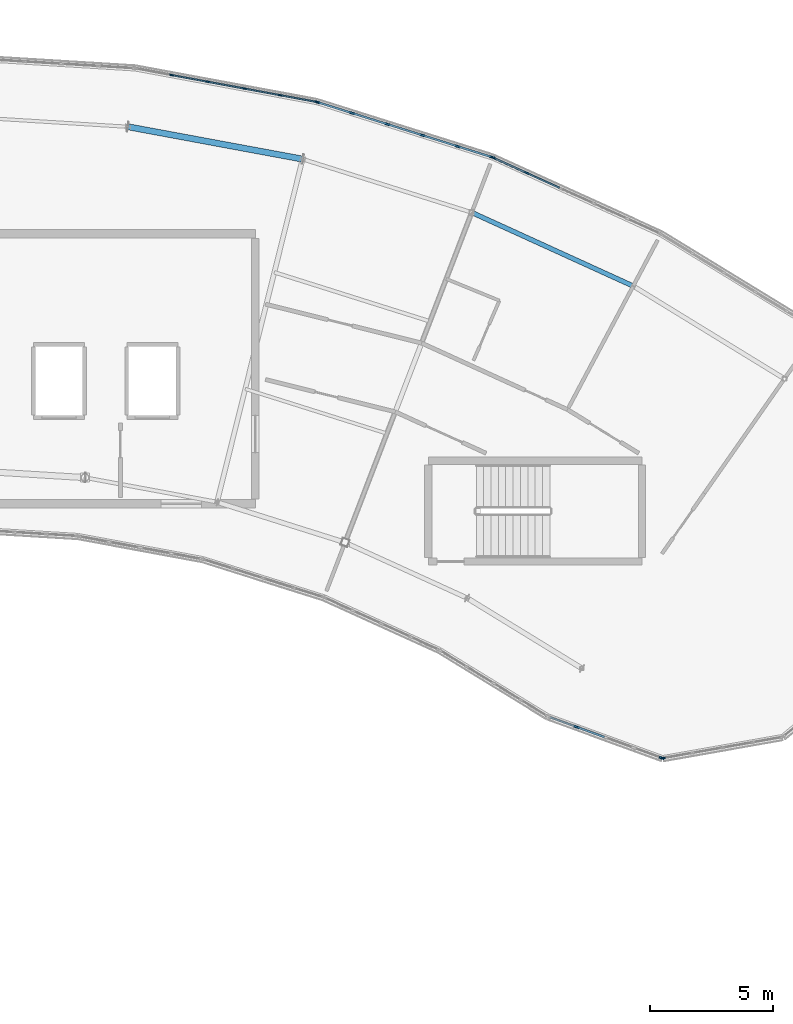
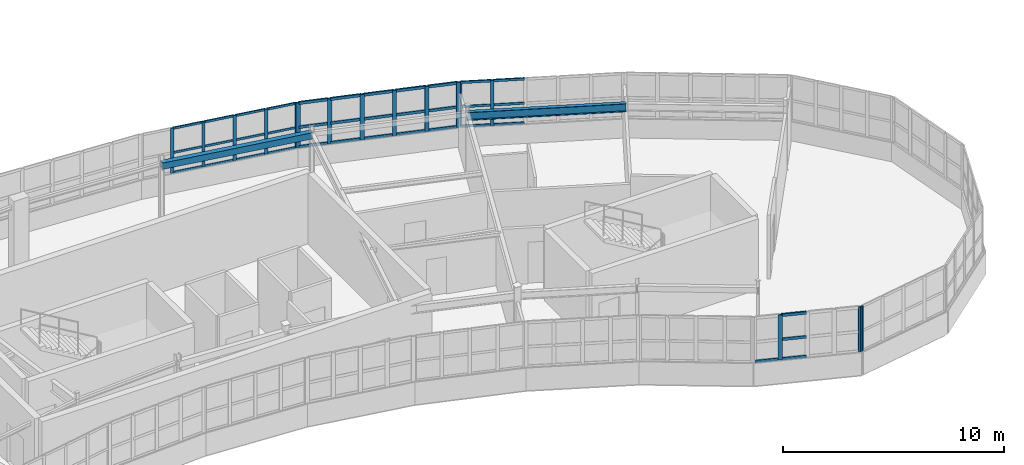
# One storey, part 41 of 79: 53 members, 2 beams, 5 elements without a shape of their own.
"""IFC4 building model written with IfcOpenShell, lengths in metres."""

from ifc_helpers import new_model, si_unit, direction, frame, origin, origin_2d, place, context, subcontext, project, spatial, rectangle, hollow_rectangle, i_section, extrude, material, layer, layer_set, material_profile, profile_set, type_object, element, aggregate, save


model = new_model("IFC4")

# Units and contexts
model_context = context("Model", 3, precision=1e-05, world=origin(), true_north=direction((0.0, 1.0)))
body_context = subcontext(model_context, "Body", "Model", "MODEL_VIEW")
ifc_project = project(units=[si_unit("LENGTHUNIT", "METRE"), si_unit("AREAUNIT", "SQUARE_METRE"), si_unit("VOLUMEUNIT", "CUBIC_METRE"), si_unit("PLANEANGLEUNIT", "RADIAN"), si_unit("MASSUNIT", "GRAM", prefix="KILO")], contexts=[model_context])

# Site, building, storey
site_placement = place(None, origin())
site = spatial("IfcSite", under=ifc_project, at=site_placement, CompositionType="ELEMENT")
building_placement = place(site_placement, origin())
building = spatial("IfcBuilding", under=site, at=building_placement, Name="Tarnwether General Hospital", CompositionType="ELEMENT")
storey_placement = place(building_placement, frame((0.0, 0.0, 18.300048828125)))
storey = spatial("IfcBuildingStorey", under=building, at=storey_placement, Name="L04", CompositionType="ELEMENT", Elevation=18.300048828125)

# Beams
ifc_material_1 = material(Name="Steel Grade 350 (350 MPa)", Category="steel")
ifc_material_profile_1 = material_profile(ifc_material_1, i_section(OverallWidth=0.18994140625, OverallDepth=0.4541015625, WebThickness=0.008544921875, FlangeThickness=0.0126953125, at=origin_2d()), Name="460UB67.1")
ifc_profile_set_1 = profile_set([ifc_material_profile_1], Name="Steel Grade 350 (350 MPa)")
beam_type_1 = type_object("IfcBeamType", Name="BM-SP1", PredefinedType="SPANDREL", material=ifc_profile_set_1)
beam_1_placement = place(storey_placement, frame((113.215087890625, 118.26806640625, 3.3330078125), z_axis=(0.909943842177, -0.414731484316, 0.0), x_axis=(0.414731484316, 0.909943842177, 0.0)))
element("IfcBeam", 1, at=beam_1_placement, inside=storey, type_object=beam_type_1, Name="Curved Ward NW Outer Spandrel BMG-L04-11322_11827-11979_11527-1977", PredefinedType="SPANDREL", context=body_context, shape_type="SweptSolid", body=[
    extrude(i_section(OverallWidth=0.18994140625, OverallDepth=0.4541015625, WebThickness=0.008544921875, FlangeThickness=0.0126953125, at=origin_2d()), origin(), (0.0, 0.0, 1.0), 7.22900390625),
])
ifc_material_2 = material(Name="Steel Grade C350L0 (350 MPa)", Category="steel")
ifc_material_profile_2 = material_profile(ifc_material_2, hollow_rectangle(XDim=0.25, YDim=0.35009765625, WallThickness=0.012451171875, at=origin_2d()), Name="RHS350x250x12.5")
ifc_profile_set_2 = profile_set([ifc_material_profile_2], Name="Steel Grade C350L0 (350 MPa)")
beam_type_2 = type_object("IfcBeamType", Name="BM-SP7", PredefinedType="SPANDREL", material=ifc_profile_set_2)
beam_2_placement = place(storey_placement, frame((99.215087890625, 121.759033203125, 3.385009765625), z_axis=(0.98325623662, -0.182228354399, 0.0), x_axis=(0.182228354399, 0.98325623662, 0.0)))
element("IfcBeam", 2, at=beam_2_placement, inside=storey, type_object=beam_type_2, Name="Curved Ward NW Outer Spandrel BMG-L04-9922_12176-10632_12044-1971", PredefinedType="SPANDREL", context=body_context, shape_type="SweptSolid", body=[
    extrude(hollow_rectangle(XDim=0.25, YDim=0.35009765625, WallThickness=0.012451171875, at=origin_2d()), origin(), (0.0, 0.0, 1.0), 7.22802734375),
])

# Curtain wall, member
ifc_material_3 = material(Name="Anodised aluminium", Category="aluminium")
ifc_layer_1 = layer(ifc_material_3, 0.159912109375)
ifc_layer_set_1 = layer_set([ifc_layer_1], Name="Anodised aluminium")
curtain_wall_type_1 = type_object("IfcCurtainWallType", Name="CW-04", PredefinedType="NOTDEFINED", material=ifc_layer_set_1)
curtain_wall_1_placement = place(storey_placement, origin())
curtain_wall_1 = element("IfcCurtainWall", 3, at=curtain_wall_1_placement, inside=storey, type_object=curtain_wall_type_1, Name="Curtain Wall CWG-L04-1259_969-0049", PredefinedType="NOTDEFINED")
ifc_material_4 = material(Name="Anodised aluminium", Category="aluminium")
ifc_material_profile_3 = material_profile(ifc_material_4, rectangle(XDim=0.06005859375, YDim=0.159912109375, at=origin_2d()), Name="ALU-MUL-60x160")
ifc_profile_set_3 = profile_set([ifc_material_profile_3], Name="Anodised aluminium")
member_type_1 = type_object("IfcMemberType", Name="CW-ML1", PredefinedType="MULLION", material=ifc_profile_set_3)
member_1_placement = place(storey_placement, frame((121.0185546875, 96.037109375, 1.050048828125), z_axis=(0.0, 0.0, 1.0), x_axis=(0.173659059054, -0.984805834268, 0.0)))
member_1 = element("IfcMember", 4, at=member_1_placement, type_object=member_type_1, Name="CW-04 mullion 5", PredefinedType="MULLION", context=body_context, shape_type="SweptSolid", body=[
    extrude(rectangle(XDim=0.06005859375, YDim=0.159912109375, at=origin_2d()), origin(), (0.0, 0.0, 1.0), 2.489990234375),
])
aggregate(curtain_wall_1, [member_1])

# Curtain wall, members
ifc_material_5 = material(Name="Anodised aluminium", Category="aluminium")
ifc_layer_2 = layer(ifc_material_5, 0.159912109375)
ifc_layer_set_2 = layer_set([ifc_layer_2], Name="Anodised aluminium")
curtain_wall_type_2 = type_object("IfcCurtainWallType", Name="CW-02", PredefinedType="NOTDEFINED", material=ifc_layer_set_2)
curtain_wall_2_placement = place(storey_placement, origin())
curtain_wall_2 = element("IfcCurtainWall", 5, at=curtain_wall_2_placement, inside=storey, type_object=curtain_wall_type_2, Name="Curtain Wall CWG-L04-995_1241-0057", PredefinedType="NOTDEFINED")
member_2_placement = place(storey_placement, frame((100.986083984375, 123.86669921875, 1.050048828125), z_axis=(0.0, 0.0, 1.0), x_axis=(0.182289226614, 0.983244953132, 0.0)))
member_2 = element("IfcMember", 6, at=member_2_placement, type_object=member_type_1, Name="CW-02 mullion 2", PredefinedType="MULLION", context=body_context, shape_type="SweptSolid", body=[
    extrude(rectangle(XDim=0.06005859375, YDim=0.159912109375, at=origin_2d()), origin(), (0.0, 0.0, 1.0), 2.489990234375),
])
member_3_placement = place(storey_placement, frame((102.465087890625, 123.592529296875, 1.050048828125), z_axis=(0.0, 0.0, 1.0), x_axis=(0.182289226614, 0.983244953132, 0.0)))
member_3 = element("IfcMember", 7, at=member_3_placement, type_object=member_type_1, Name="CW-02 mullion 3", PredefinedType="MULLION", context=body_context, shape_type="SweptSolid", body=[
    extrude(rectangle(XDim=0.06005859375, YDim=0.159912109375, at=origin_2d()), origin(), (0.0, 0.0, 1.0), 2.489990234375),
])
member_4_placement = place(storey_placement, frame((103.944091796875, 123.318359375, 1.050048828125), z_axis=(0.0, 0.0, 1.0), x_axis=(0.182289226614, 0.983244953132, 0.0)))
member_4 = element("IfcMember", 8, at=member_4_placement, type_object=member_type_1, Name="CW-02 mullion 4", PredefinedType="MULLION", context=body_context, shape_type="SweptSolid", body=[
    extrude(rectangle(XDim=0.06005859375, YDim=0.159912109375, at=origin_2d()), origin(), (0.0, 0.0, 1.0), 2.489990234375),
])
member_5_placement = place(storey_placement, frame((105.423095703125, 123.044189453125, 1.050048828125), z_axis=(0.0, 0.0, 1.0), x_axis=(0.182289226614, 0.983244953132, 0.0)))
member_5 = element("IfcMember", 9, at=member_5_placement, type_object=member_type_1, Name="CW-02 mullion 5", PredefinedType="MULLION", context=body_context, shape_type="SweptSolid", body=[
    extrude(rectangle(XDim=0.06005859375, YDim=0.159912109375, at=origin_2d()), origin(), (0.0, 0.0, 1.0), 2.489990234375),
])
member_6_placement = place(storey_placement, frame((106.87255859375, 122.775390625, 1.050048828125), z_axis=(0.0, 0.0, 1.0), x_axis=(0.182289226614, 0.983244953132, 0.0)))
member_6 = element("IfcMember", 10, at=member_6_placement, type_object=member_type_1, Name="CW-02 mullion 6", PredefinedType="MULLION", context=body_context, shape_type="SweptSolid", body=[
    extrude(rectangle(XDim=0.06005859375, YDim=0.159912109375, at=origin_2d()), origin(), (0.0, 0.0, 1.0), 2.489990234375),
])

curtain_wall_3_placement = place(storey_placement, origin())
curtain_wall_3 = element("IfcCurtainWall", 11, at=curtain_wall_3_placement, inside=storey, type_object=curtain_wall_type_2, Name="Curtain Wall CWG-L04-1141_1205-0055", PredefinedType="NOTDEFINED")
ifc_material_6 = material(Name="Anodised aluminium", Category="aluminium")
ifc_material_profile_4 = material_profile(ifc_material_6, rectangle(XDim=0.06494140625, YDim=0.169921875, at=origin_2d()), Name="ALU-MUL-65x170")
ifc_profile_set_4 = profile_set([ifc_material_profile_4], Name="Anodised aluminium")
member_type_2 = type_object("IfcMemberType", Name="CW-ML3", PredefinedType="MULLION", material=ifc_profile_set_4)
member_7_placement = place(storey_placement, frame((114.1044921875, 120.49560546875, 1.050048828125), z_axis=(0.0, 0.0, 1.0), x_axis=(0.414694289316, 0.909960793886, 0.0)))
member_7 = element("IfcMember", 12, at=member_7_placement, type_object=member_type_2, Name="CW-02 mullion 1", PredefinedType="MULLION", context=body_context, shape_type="SweptSolid", body=[
    extrude(rectangle(XDim=0.06494140625, YDim=0.169921875, at=origin_2d()), origin(), (0.0, 0.0, 1.0), 2.489990234375),
])
member_8_placement = place(storey_placement, frame((115.44384765625, 119.88525390625, 1.050048828125), z_axis=(0.0, 0.0, 1.0), x_axis=(0.414694289316, 0.909960793886, 0.0)))
member_8 = element("IfcMember", 13, at=member_8_placement, type_object=member_type_2, Name="CW-02 mullion 2", PredefinedType="MULLION", context=body_context, shape_type="SweptSolid", body=[
    extrude(rectangle(XDim=0.06494140625, YDim=0.169921875, at=origin_2d()), origin(), (0.0, 0.0, 1.0), 2.489990234375),
])

curtain_wall_4_placement = place(storey_placement, origin())
curtain_wall_4 = element("IfcCurtainWall", 14, at=curtain_wall_4_placement, inside=storey, type_object=curtain_wall_type_1, Name="Curtain Wall CWG-L04-1210_960-0048", PredefinedType="NOTDEFINED")
ifc_material_7 = material(Name="Anodised aluminium", Category="aluminium")
ifc_material_profile_5 = material_profile(ifc_material_7, rectangle(XDim=0.080078125, YDim=0.199951171875, at=origin_2d()), Name="ALU-MUL-80x200")
ifc_profile_set_5 = profile_set([ifc_material_profile_5], Name="Anodised aluminium")
member_type_3 = type_object("IfcMemberType", Name="CW-ML4", PredefinedType="MULLION", material=ifc_profile_set_5)
member_9_placement = place(storey_placement, frame((120.951416015625, 96.045654296875, 1.050048828125), z_axis=(0.0, 0.0, 1.0), x_axis=(-0.342130850834, -0.939652319163, 0.0)))
member_9 = element("IfcMember", 15, at=member_9_placement, type_object=member_type_3, Name="CW-04 mullion 1", PredefinedType="MULLION", context=body_context, shape_type="SweptSolid", body=[
    extrude(rectangle(XDim=0.080078125, YDim=0.199951171875, at=origin_2d()), origin(), (0.0, 0.0, 1.0), 2.489990234375),
])
member_10_placement = place(storey_placement, frame((117.4873046875, 97.306884765625, 1.050048828125), z_axis=(0.0, 0.0, 1.0), x_axis=(-0.342130850834, -0.939652319163, 0.0)))
member_10 = element("IfcMember", 16, at=member_10_placement, type_object=member_type_3, Name="CW-04 mullion 4", PredefinedType="MULLION", context=body_context, shape_type="SweptSolid", body=[
    extrude(rectangle(XDim=0.080078125, YDim=0.199951171875, at=origin_2d()), origin(), (0.0, 0.0, 1.0), 2.489990234375),
])

curtain_wall_5_placement = place(storey_placement, origin())
curtain_wall_5 = element("IfcCurtainWall", 17, at=curtain_wall_5_placement, inside=storey, type_object=curtain_wall_type_2, Name="Curtain Wall CWG-L04-1069_1228-0056", PredefinedType="NOTDEFINED")
member_11_placement = place(storey_placement, frame((106.940185546875, 122.758056640625, 1.050048828125), z_axis=(0.0, 0.0, 1.0), x_axis=(0.300628613299, 0.953741284032, 0.0)))
member_11 = element("IfcMember", 18, at=member_11_placement, type_object=member_type_3, Name="CW-02 mullion 1", PredefinedType="MULLION", context=body_context, shape_type="SweptSolid", body=[
    extrude(rectangle(XDim=0.080078125, YDim=0.199951171875, at=origin_2d()), origin(), (0.0, 0.0, 1.0), 2.489990234375),
])
member_12_placement = place(storey_placement, frame((108.336669921875, 122.31787109375, 1.050048828125), z_axis=(0.0, 0.0, 1.0), x_axis=(0.300628613299, 0.953741284032, 0.0)))
member_12 = element("IfcMember", 19, at=member_12_placement, type_object=member_type_3, Name="CW-02 mullion 2", PredefinedType="MULLION", context=body_context, shape_type="SweptSolid", body=[
    extrude(rectangle(XDim=0.080078125, YDim=0.199951171875, at=origin_2d()), origin(), (0.0, 0.0, 1.0), 2.489990234375),
])
member_13_placement = place(storey_placement, frame((109.771240234375, 121.865478515625, 1.050048828125), z_axis=(0.0, 0.0, 1.0), x_axis=(0.300628613299, 0.953741284032, 0.0)))
member_13 = element("IfcMember", 20, at=member_13_placement, type_object=member_type_3, Name="CW-02 mullion 3", PredefinedType="MULLION", context=body_context, shape_type="SweptSolid", body=[
    extrude(rectangle(XDim=0.080078125, YDim=0.199951171875, at=origin_2d()), origin(), (0.0, 0.0, 1.0), 2.489990234375),
])
member_14_placement = place(storey_placement, frame((111.205810546875, 121.413330078125, 1.050048828125), z_axis=(0.0, 0.0, 1.0), x_axis=(0.300628613299, 0.953741284032, 0.0)))
member_14 = element("IfcMember", 21, at=member_14_placement, type_object=member_type_3, Name="CW-02 mullion 4", PredefinedType="MULLION", context=body_context, shape_type="SweptSolid", body=[
    extrude(rectangle(XDim=0.080078125, YDim=0.199951171875, at=origin_2d()), origin(), (0.0, 0.0, 1.0), 2.489990234375),
])
member_15_placement = place(storey_placement, frame((112.640380859375, 120.961181640625, 1.050048828125), z_axis=(0.0, 0.0, 1.0), x_axis=(0.300628613299, 0.953741284032, 0.0)))
member_15 = element("IfcMember", 22, at=member_15_placement, type_object=member_type_3, Name="CW-02 mullion 5", PredefinedType="MULLION", context=body_context, shape_type="SweptSolid", body=[
    extrude(rectangle(XDim=0.080078125, YDim=0.199951171875, at=origin_2d()), origin(), (0.0, 0.0, 1.0), 2.489990234375),
])
member_16_placement = place(storey_placement, frame((114.036865234375, 120.52099609375, 1.050048828125), z_axis=(0.0, 0.0, 1.0), x_axis=(0.300628613299, 0.953741284032, 0.0)))
member_16 = element("IfcMember", 23, at=member_16_placement, type_object=member_type_3, Name="CW-02 mullion 6", PredefinedType="MULLION", context=body_context, shape_type="SweptSolid", body=[
    extrude(rectangle(XDim=0.080078125, YDim=0.199951171875, at=origin_2d()), origin(), (0.0, 0.0, 1.0), 2.489990234375),
])

# Member
ifc_material_8 = material(Name="Anodised aluminium", Category="aluminium")
ifc_material_profile_6 = material_profile(ifc_material_8, rectangle(XDim=0.06005859375, YDim=0.1201171875, at=origin_2d()), Name="ALU-TRN-60x120")
ifc_profile_set_6 = profile_set([ifc_material_profile_6], Name="Anodised aluminium")
member_type_4 = type_object("IfcMemberType", Name="CW-TR1", PredefinedType="USERDEFINED", material=ifc_profile_set_6)
member_17_placement = place(storey_placement, frame((101.015380859375, 123.861328125, 1.079833984375), z_axis=(0.983258457846, -0.182216368843, 0.0), x_axis=(0.182216368843, 0.983258457846, 0.0)))
member_17 = element("IfcMember", 24, at=member_17_placement, type_object=member_type_4, Name="CW-02 transom 2.1", ObjectType="TRANSOM", PredefinedType="USERDEFINED", context=body_context, shape_type="SweptSolid", body=[
    extrude(rectangle(XDim=0.06005859375, YDim=0.1201171875, at=origin_2d()), origin(), (0.0, 0.0, 1.0), 1.4443359375),
])

member_18_placement = place(storey_placement, frame((101.015380859375, 123.861328125, 2.17041015625), z_axis=(0.983258457846, -0.182216368843, 0.0), x_axis=(0.182216368843, 0.983258457846, 0.0)))
member_18 = element("IfcMember", 25, at=member_18_placement, type_object=member_type_4, Name="CW-02 transom 2.2", ObjectType="TRANSOM", PredefinedType="USERDEFINED", context=body_context, shape_type="SweptSolid", body=[
    extrude(rectangle(XDim=0.06005859375, YDim=0.1201171875, at=origin_2d()), origin(), (0.0, 0.0, 1.0), 1.4443359375),
])

member_19_placement = place(storey_placement, frame((101.015380859375, 123.861328125, 3.510009765625), z_axis=(0.983258457846, -0.182216368843, 0.0), x_axis=(0.182216368843, 0.983258457846, 0.0)))
member_19 = element("IfcMember", 26, at=member_19_placement, type_object=member_type_4, Name="CW-02 transom 2.3", ObjectType="TRANSOM", PredefinedType="USERDEFINED", context=body_context, shape_type="SweptSolid", body=[
    extrude(rectangle(XDim=0.06005859375, YDim=0.1201171875, at=origin_2d()), origin(), (0.0, 0.0, 1.0), 1.4443359375),
])

member_20_placement = place(storey_placement, frame((102.494384765625, 123.587158203125, 1.079833984375), z_axis=(0.983258457846, -0.182216368843, 0.0), x_axis=(0.182216368843, 0.983258457846, 0.0)))
member_20 = element("IfcMember", 27, at=member_20_placement, type_object=member_type_4, Name="CW-02 transom 3.1", ObjectType="TRANSOM", PredefinedType="USERDEFINED", context=body_context, shape_type="SweptSolid", body=[
    extrude(rectangle(XDim=0.06005859375, YDim=0.1201171875, at=origin_2d()), origin(), (0.0, 0.0, 1.0), 1.4443359375),
])

member_21_placement = place(storey_placement, frame((102.494384765625, 123.587158203125, 2.17041015625), z_axis=(0.983258457846, -0.182216368843, 0.0), x_axis=(0.182216368843, 0.983258457846, 0.0)))
member_21 = element("IfcMember", 28, at=member_21_placement, type_object=member_type_4, Name="CW-02 transom 3.2", ObjectType="TRANSOM", PredefinedType="USERDEFINED", context=body_context, shape_type="SweptSolid", body=[
    extrude(rectangle(XDim=0.06005859375, YDim=0.1201171875, at=origin_2d()), origin(), (0.0, 0.0, 1.0), 1.4443359375),
])

member_22_placement = place(storey_placement, frame((102.494384765625, 123.587158203125, 3.510009765625), z_axis=(0.983258457846, -0.182216368843, 0.0), x_axis=(0.182216368843, 0.983258457846, 0.0)))
member_22 = element("IfcMember", 29, at=member_22_placement, type_object=member_type_4, Name="CW-02 transom 3.3", ObjectType="TRANSOM", PredefinedType="USERDEFINED", context=body_context, shape_type="SweptSolid", body=[
    extrude(rectangle(XDim=0.06005859375, YDim=0.1201171875, at=origin_2d()), origin(), (0.0, 0.0, 1.0), 1.4443359375),
])

member_23_placement = place(storey_placement, frame((103.973388671875, 123.31298828125, 1.079833984375), z_axis=(0.98322816047, -0.18237978084, 0.0), x_axis=(0.18237978084, 0.98322816047, 0.0)))
member_23 = element("IfcMember", 30, at=member_23_placement, type_object=member_type_4, Name="CW-02 transom 4.1", ObjectType="TRANSOM", PredefinedType="USERDEFINED", context=body_context, shape_type="SweptSolid", body=[
    extrude(rectangle(XDim=0.06005859375, YDim=0.1201171875, at=origin_2d()), origin(), (0.0, 0.0, 1.0), 1.4443359375),
])

member_24_placement = place(storey_placement, frame((103.973388671875, 123.31298828125, 2.17041015625), z_axis=(0.98322816047, -0.18237978084, 0.0), x_axis=(0.18237978084, 0.98322816047, 0.0)))
member_24 = element("IfcMember", 31, at=member_24_placement, type_object=member_type_4, Name="CW-02 transom 4.2", ObjectType="TRANSOM", PredefinedType="USERDEFINED", context=body_context, shape_type="SweptSolid", body=[
    extrude(rectangle(XDim=0.06005859375, YDim=0.1201171875, at=origin_2d()), origin(), (0.0, 0.0, 1.0), 1.4443359375),
])

member_25_placement = place(storey_placement, frame((103.973388671875, 123.31298828125, 3.510009765625), z_axis=(0.98322816047, -0.18237978084, 0.0), x_axis=(0.18237978084, 0.98322816047, 0.0)))
member_25 = element("IfcMember", 32, at=member_25_placement, type_object=member_type_4, Name="CW-02 transom 4.3", ObjectType="TRANSOM", PredefinedType="USERDEFINED", context=body_context, shape_type="SweptSolid", body=[
    extrude(rectangle(XDim=0.06005859375, YDim=0.1201171875, at=origin_2d()), origin(), (0.0, 0.0, 1.0), 1.4443359375),
])

member_26_placement = place(storey_placement, frame((105.452392578125, 123.038818359375, 1.079833984375), z_axis=(0.983245354782, -0.182287060156, 0.0), x_axis=(0.182287060156, 0.983245354782, 0.0)))
member_26 = element("IfcMember", 33, at=member_26_placement, type_object=member_type_4, Name="CW-02 transom 5.1", ObjectType="TRANSOM", PredefinedType="USERDEFINED", context=body_context, shape_type="SweptSolid", body=[
    extrude(rectangle(XDim=0.06005859375, YDim=0.1201171875, at=origin_2d()), origin(), (0.0, 0.0, 1.0), 1.414306640625),
])

member_27_placement = place(storey_placement, frame((105.452392578125, 123.038818359375, 2.17041015625), z_axis=(0.983245354782, -0.182287060156, 0.0), x_axis=(0.182287060156, 0.983245354782, 0.0)))
member_27 = element("IfcMember", 34, at=member_27_placement, type_object=member_type_4, Name="CW-02 transom 5.2", ObjectType="TRANSOM", PredefinedType="USERDEFINED", context=body_context, shape_type="SweptSolid", body=[
    extrude(rectangle(XDim=0.06005859375, YDim=0.1201171875, at=origin_2d()), origin(), (0.0, 0.0, 1.0), 1.414306640625),
])

member_28_placement = place(storey_placement, frame((105.452392578125, 123.038818359375, 3.510009765625), z_axis=(0.983245354782, -0.182287060156, 0.0), x_axis=(0.182287060156, 0.983245354782, 0.0)))
member_28 = element("IfcMember", 35, at=member_28_placement, type_object=member_type_4, Name="CW-02 transom 5.3", ObjectType="TRANSOM", PredefinedType="USERDEFINED", context=body_context, shape_type="SweptSolid", body=[
    extrude(rectangle(XDim=0.06005859375, YDim=0.1201171875, at=origin_2d()), origin(), (0.0, 0.0, 1.0), 1.414306640625),
])

aggregate(curtain_wall_2, [member_2, member_3, member_4, member_5, member_6, member_17, member_18, member_19, member_20, member_21, member_22, member_23, member_24, member_25, member_26, member_27, member_28])

ifc_material_9 = material(Name="Anodised aluminium", Category="aluminium")
ifc_material_profile_7 = material_profile(ifc_material_9, rectangle(XDim=0.06494140625, YDim=0.1298828125, at=origin_2d()), Name="ALU-TRN-65x130")
ifc_profile_set_7 = profile_set([ifc_material_profile_7], Name="Anodised aluminium")
member_type_5 = type_object("IfcMemberType", Name="CW-TR3", PredefinedType="USERDEFINED", material=ifc_profile_set_7)
member_29_placement = place(storey_placement, frame((114.134033203125, 120.48193359375, 1.08251953125), z_axis=(0.910015515634, -0.414574192763, 0.0), x_axis=(0.414574192763, 0.910015515634, 0.0)))
member_29 = element("IfcMember", 36, at=member_29_placement, type_object=member_type_5, Name="CW-02 transom 1.1", ObjectType="TRANSOM", PredefinedType="USERDEFINED", context=body_context, shape_type="SweptSolid", body=[
    extrude(rectangle(XDim=0.06494140625, YDim=0.1298828125, at=origin_2d()), origin(), (0.0, 0.0, 1.0), 1.406982421875),
])

member_30_placement = place(storey_placement, frame((114.134033203125, 120.48193359375, 2.17041015625), z_axis=(0.910015515634, -0.414574192763, 0.0), x_axis=(0.414574192763, 0.910015515634, 0.0)))
member_30 = element("IfcMember", 37, at=member_30_placement, type_object=member_type_5, Name="CW-02 transom 1.2", ObjectType="TRANSOM", PredefinedType="USERDEFINED", context=body_context, shape_type="SweptSolid", body=[
    extrude(rectangle(XDim=0.06494140625, YDim=0.1298828125, at=origin_2d()), origin(), (0.0, 0.0, 1.0), 1.406982421875),
])

member_31_placement = place(storey_placement, frame((114.134033203125, 120.48193359375, 3.507568359375), z_axis=(0.910015515634, -0.414574192763, 0.0), x_axis=(0.414574192763, 0.910015515634, 0.0)))
member_31 = element("IfcMember", 38, at=member_31_placement, type_object=member_type_5, Name="CW-02 transom 1.3", ObjectType="TRANSOM", PredefinedType="USERDEFINED", context=body_context, shape_type="SweptSolid", body=[
    extrude(rectangle(XDim=0.06494140625, YDim=0.1298828125, at=origin_2d()), origin(), (0.0, 0.0, 1.0), 1.406982421875),
])

member_32_placement = place(storey_placement, frame((115.473388671875, 119.871826171875, 1.08251953125), z_axis=(0.909930262582, -0.414761277408, 0.0), x_axis=(0.414761277408, 0.909930262582, 0.0)))
member_32 = element("IfcMember", 39, at=member_32_placement, type_object=member_type_5, Name="CW-02 transom 2.1", ObjectType="TRANSOM", PredefinedType="USERDEFINED", context=body_context, shape_type="SweptSolid", body=[
    extrude(rectangle(XDim=0.06494140625, YDim=0.1298828125, at=origin_2d()), origin(), (0.0, 0.0, 1.0), 1.439208984375),
])

member_33_placement = place(storey_placement, frame((115.473388671875, 119.871826171875, 2.17041015625), z_axis=(0.909930262582, -0.414761277408, 0.0), x_axis=(0.414761277408, 0.909930262582, 0.0)))
member_33 = element("IfcMember", 40, at=member_33_placement, type_object=member_type_5, Name="CW-02 transom 2.2", ObjectType="TRANSOM", PredefinedType="USERDEFINED", context=body_context, shape_type="SweptSolid", body=[
    extrude(rectangle(XDim=0.06494140625, YDim=0.1298828125, at=origin_2d()), origin(), (0.0, 0.0, 1.0), 1.439208984375),
])

member_34_placement = place(storey_placement, frame((115.473388671875, 119.871826171875, 3.507568359375), z_axis=(0.909930262582, -0.414761277408, 0.0), x_axis=(0.414761277408, 0.909930262582, 0.0)))
member_34 = element("IfcMember", 41, at=member_34_placement, type_object=member_type_5, Name="CW-02 transom 2.3", ObjectType="TRANSOM", PredefinedType="USERDEFINED", context=body_context, shape_type="SweptSolid", body=[
    extrude(rectangle(XDim=0.06494140625, YDim=0.1298828125, at=origin_2d()), origin(), (0.0, 0.0, 1.0), 1.439208984375),
])

aggregate(curtain_wall_3, [member_7, member_8, member_29, member_30, member_31, member_32, member_33, member_34])

ifc_material_10 = material(Name="Anodised aluminium", Category="aluminium")
ifc_material_profile_8 = material_profile(ifc_material_10, rectangle(XDim=0.080078125, YDim=0.14990234375, at=origin_2d()), Name="ALU-TRN-80x150")
ifc_profile_set_8 = profile_set([ifc_material_profile_8], Name="Anodised aluminium")
member_type_6 = type_object("IfcMemberType", Name="CW-TR4", PredefinedType="USERDEFINED", material=ifc_profile_set_8)
member_35_placement = place(storey_placement, frame((118.616943359375, 96.895751953125, 1.08984375), z_axis=(-0.939695244401, 0.342012934917, 0.0), x_axis=(-0.342012934917, -0.939695244401, 0.0)))
member_35 = element("IfcMember", 42, at=member_35_placement, type_object=member_type_6, Name="CW-04 transom 3.1", ObjectType="TRANSOM", PredefinedType="USERDEFINED", context=body_context, shape_type="SweptSolid", body=[
    extrude(rectangle(XDim=0.080078125, YDim=0.14990234375, at=origin_2d()), origin(), (0.0, 0.0, 1.0), 1.162109375),
])

member_36_placement = place(storey_placement, frame((118.616943359375, 96.895751953125, 2.17041015625), z_axis=(-0.939695244401, 0.342012934917, 0.0), x_axis=(-0.342012934917, -0.939695244401, 0.0)))
member_36 = element("IfcMember", 43, at=member_36_placement, type_object=member_type_6, Name="CW-04 transom 3.2", ObjectType="TRANSOM", PredefinedType="USERDEFINED", context=body_context, shape_type="SweptSolid", body=[
    extrude(rectangle(XDim=0.080078125, YDim=0.14990234375, at=origin_2d()), origin(), (0.0, 0.0, 1.0), 1.162109375),
])

member_37_placement = place(storey_placement, frame((118.616943359375, 96.895751953125, 3.5), z_axis=(-0.939695244401, 0.342012934917, 0.0), x_axis=(-0.342012934917, -0.939695244401, 0.0)))
member_37 = element("IfcMember", 44, at=member_37_placement, type_object=member_type_6, Name="CW-04 transom 3.3", ObjectType="TRANSOM", PredefinedType="USERDEFINED", context=body_context, shape_type="SweptSolid", body=[
    extrude(rectangle(XDim=0.080078125, YDim=0.14990234375, at=origin_2d()), origin(), (0.0, 0.0, 1.0), 1.162109375),
])

member_38_placement = place(storey_placement, frame((117.44970703125, 97.32080078125, 1.08984375), z_axis=(-0.939691742636, 0.342022556014, 0.0), x_axis=(-0.342022556014, -0.939691742636, 0.0)))
member_38 = element("IfcMember", 45, at=member_38_placement, type_object=member_type_6, Name="CW-04 transom 4.1", ObjectType="TRANSOM", PredefinedType="USERDEFINED", context=body_context, shape_type="SweptSolid", body=[
    extrude(rectangle(XDim=0.080078125, YDim=0.14990234375, at=origin_2d()), origin(), (0.0, 0.0, 1.0), 1.1220703125),
])

aggregate(curtain_wall_4, [member_9, member_10, member_35, member_36, member_37, member_38])

member_39_placement = place(storey_placement, frame((106.978271484375, 122.745849609375, 1.08984375), z_axis=(0.95375845132, -0.300574144821, 0.0), x_axis=(0.300574144821, 0.95375845132, 0.0)))
member_39 = element("IfcMember", 46, at=member_39_placement, type_object=member_type_6, Name="CW-02 transom 1.1", ObjectType="TRANSOM", PredefinedType="USERDEFINED", context=body_context, shape_type="SweptSolid", body=[
    extrude(rectangle(XDim=0.080078125, YDim=0.14990234375, at=origin_2d()), origin(), (0.0, 0.0, 1.0), 1.384033203125),
])

member_40_placement = place(storey_placement, frame((106.978271484375, 122.745849609375, 2.17041015625), z_axis=(0.95375845132, -0.300574144821, 0.0), x_axis=(0.300574144821, 0.95375845132, 0.0)))
member_40 = element("IfcMember", 47, at=member_40_placement, type_object=member_type_6, Name="CW-02 transom 1.2", ObjectType="TRANSOM", PredefinedType="USERDEFINED", context=body_context, shape_type="SweptSolid", body=[
    extrude(rectangle(XDim=0.080078125, YDim=0.14990234375, at=origin_2d()), origin(), (0.0, 0.0, 1.0), 1.384033203125),
])

member_41_placement = place(storey_placement, frame((106.978271484375, 122.745849609375, 3.5), z_axis=(0.95375845132, -0.300574144821, 0.0), x_axis=(0.300574144821, 0.95375845132, 0.0)))
member_41 = element("IfcMember", 48, at=member_41_placement, type_object=member_type_6, Name="CW-02 transom 1.3", ObjectType="TRANSOM", PredefinedType="USERDEFINED", context=body_context, shape_type="SweptSolid", body=[
    extrude(rectangle(XDim=0.080078125, YDim=0.14990234375, at=origin_2d()), origin(), (0.0, 0.0, 1.0), 1.384033203125),
])

member_42_placement = place(storey_placement, frame((108.374755859375, 122.3056640625, 1.08984375), z_axis=(0.953781942364, -0.30049959471, 0.0), x_axis=(0.30049959471, 0.953781942364, 0.0)))
member_42 = element("IfcMember", 49, at=member_42_placement, type_object=member_type_6, Name="CW-02 transom 2.1", ObjectType="TRANSOM", PredefinedType="USERDEFINED", context=body_context, shape_type="SweptSolid", body=[
    extrude(rectangle(XDim=0.080078125, YDim=0.14990234375, at=origin_2d()), origin(), (0.0, 0.0, 1.0), 1.42431640625),
])

member_43_placement = place(storey_placement, frame((108.374755859375, 122.3056640625, 2.17041015625), z_axis=(0.953781942364, -0.30049959471, 0.0), x_axis=(0.30049959471, 0.953781942364, 0.0)))
member_43 = element("IfcMember", 50, at=member_43_placement, type_object=member_type_6, Name="CW-02 transom 2.2", ObjectType="TRANSOM", PredefinedType="USERDEFINED", context=body_context, shape_type="SweptSolid", body=[
    extrude(rectangle(XDim=0.080078125, YDim=0.14990234375, at=origin_2d()), origin(), (0.0, 0.0, 1.0), 1.42431640625),
])

member_44_placement = place(storey_placement, frame((108.374755859375, 122.3056640625, 3.5), z_axis=(0.953781942364, -0.30049959471, 0.0), x_axis=(0.30049959471, 0.953781942364, 0.0)))
member_44 = element("IfcMember", 51, at=member_44_placement, type_object=member_type_6, Name="CW-02 transom 2.3", ObjectType="TRANSOM", PredefinedType="USERDEFINED", context=body_context, shape_type="SweptSolid", body=[
    extrude(rectangle(XDim=0.080078125, YDim=0.14990234375, at=origin_2d()), origin(), (0.0, 0.0, 1.0), 1.42431640625),
])

member_45_placement = place(storey_placement, frame((109.809326171875, 121.853515625, 1.08984375), z_axis=(0.953781942364, -0.30049959471, 0.0), x_axis=(0.30049959471, 0.953781942364, 0.0)))
member_45 = element("IfcMember", 52, at=member_45_placement, type_object=member_type_6, Name="CW-02 transom 3.1", ObjectType="TRANSOM", PredefinedType="USERDEFINED", context=body_context, shape_type="SweptSolid", body=[
    extrude(rectangle(XDim=0.080078125, YDim=0.14990234375, at=origin_2d()), origin(), (0.0, 0.0, 1.0), 1.42431640625),
])

member_46_placement = place(storey_placement, frame((109.809326171875, 121.853515625, 2.17041015625), z_axis=(0.953781942364, -0.30049959471, 0.0), x_axis=(0.30049959471, 0.953781942364, 0.0)))
member_46 = element("IfcMember", 53, at=member_46_placement, type_object=member_type_6, Name="CW-02 transom 3.2", ObjectType="TRANSOM", PredefinedType="USERDEFINED", context=body_context, shape_type="SweptSolid", body=[
    extrude(rectangle(XDim=0.080078125, YDim=0.14990234375, at=origin_2d()), origin(), (0.0, 0.0, 1.0), 1.42431640625),
])

member_47_placement = place(storey_placement, frame((109.809326171875, 121.853515625, 3.5), z_axis=(0.953781942364, -0.30049959471, 0.0), x_axis=(0.30049959471, 0.953781942364, 0.0)))
member_47 = element("IfcMember", 54, at=member_47_placement, type_object=member_type_6, Name="CW-02 transom 3.3", ObjectType="TRANSOM", PredefinedType="USERDEFINED", context=body_context, shape_type="SweptSolid", body=[
    extrude(rectangle(XDim=0.080078125, YDim=0.14990234375, at=origin_2d()), origin(), (0.0, 0.0, 1.0), 1.42431640625),
])

member_48_placement = place(storey_placement, frame((111.243896484375, 121.4013671875, 1.08984375), z_axis=(0.953732801221, -0.300655523606, 0.0), x_axis=(0.300655523606, 0.953732801221, 0.0)))
member_48 = element("IfcMember", 55, at=member_48_placement, type_object=member_type_6, Name="CW-02 transom 4.1", ObjectType="TRANSOM", PredefinedType="USERDEFINED", context=body_context, shape_type="SweptSolid", body=[
    extrude(rectangle(XDim=0.080078125, YDim=0.14990234375, at=origin_2d()), origin(), (0.0, 0.0, 1.0), 1.42431640625),
])

member_49_placement = place(storey_placement, frame((111.243896484375, 121.4013671875, 2.17041015625), z_axis=(0.953732801221, -0.300655523606, 0.0), x_axis=(0.300655523606, 0.953732801221, 0.0)))
member_49 = element("IfcMember", 56, at=member_49_placement, type_object=member_type_6, Name="CW-02 transom 4.2", ObjectType="TRANSOM", PredefinedType="USERDEFINED", context=body_context, shape_type="SweptSolid", body=[
    extrude(rectangle(XDim=0.080078125, YDim=0.14990234375, at=origin_2d()), origin(), (0.0, 0.0, 1.0), 1.42431640625),
])

member_50_placement = place(storey_placement, frame((111.243896484375, 121.4013671875, 3.5), z_axis=(0.953732801221, -0.300655523606, 0.0), x_axis=(0.300655523606, 0.953732801221, 0.0)))
member_50 = element("IfcMember", 57, at=member_50_placement, type_object=member_type_6, Name="CW-02 transom 4.3", ObjectType="TRANSOM", PredefinedType="USERDEFINED", context=body_context, shape_type="SweptSolid", body=[
    extrude(rectangle(XDim=0.080078125, YDim=0.14990234375, at=origin_2d()), origin(), (0.0, 0.0, 1.0), 1.42431640625),
])

member_51_placement = place(storey_placement, frame((112.678466796875, 120.94921875, 1.08984375), z_axis=(0.953723821306, -0.300684008012, 0.0), x_axis=(0.300684008012, 0.953723821306, 0.0)))
member_51 = element("IfcMember", 58, at=member_51_placement, type_object=member_type_6, Name="CW-02 transom 5.1", ObjectType="TRANSOM", PredefinedType="USERDEFINED", context=body_context, shape_type="SweptSolid", body=[
    extrude(rectangle(XDim=0.080078125, YDim=0.14990234375, at=origin_2d()), origin(), (0.0, 0.0, 1.0), 1.38427734375),
])

member_52_placement = place(storey_placement, frame((112.678466796875, 120.94921875, 2.17041015625), z_axis=(0.953723821306, -0.300684008012, 0.0), x_axis=(0.300684008012, 0.953723821306, 0.0)))
member_52 = element("IfcMember", 59, at=member_52_placement, type_object=member_type_6, Name="CW-02 transom 5.2", ObjectType="TRANSOM", PredefinedType="USERDEFINED", context=body_context, shape_type="SweptSolid", body=[
    extrude(rectangle(XDim=0.080078125, YDim=0.14990234375, at=origin_2d()), origin(), (0.0, 0.0, 1.0), 1.38427734375),
])

member_53_placement = place(storey_placement, frame((112.678466796875, 120.94921875, 3.5), z_axis=(0.953723821306, -0.300684008012, 0.0), x_axis=(0.300684008012, 0.953723821306, 0.0)))
member_53 = element("IfcMember", 60, at=member_53_placement, type_object=member_type_6, Name="CW-02 transom 5.3", ObjectType="TRANSOM", PredefinedType="USERDEFINED", context=body_context, shape_type="SweptSolid", body=[
    extrude(rectangle(XDim=0.080078125, YDim=0.14990234375, at=origin_2d()), origin(), (0.0, 0.0, 1.0), 1.38427734375),
])

aggregate(curtain_wall_5, [member_11, member_12, member_13, member_14, member_15, member_16, member_39, member_40, member_41, member_42, member_43, member_44, member_45, member_46, member_47, member_48, member_49, member_50, member_51, member_52, member_53])

save(model, "model.ifc")
